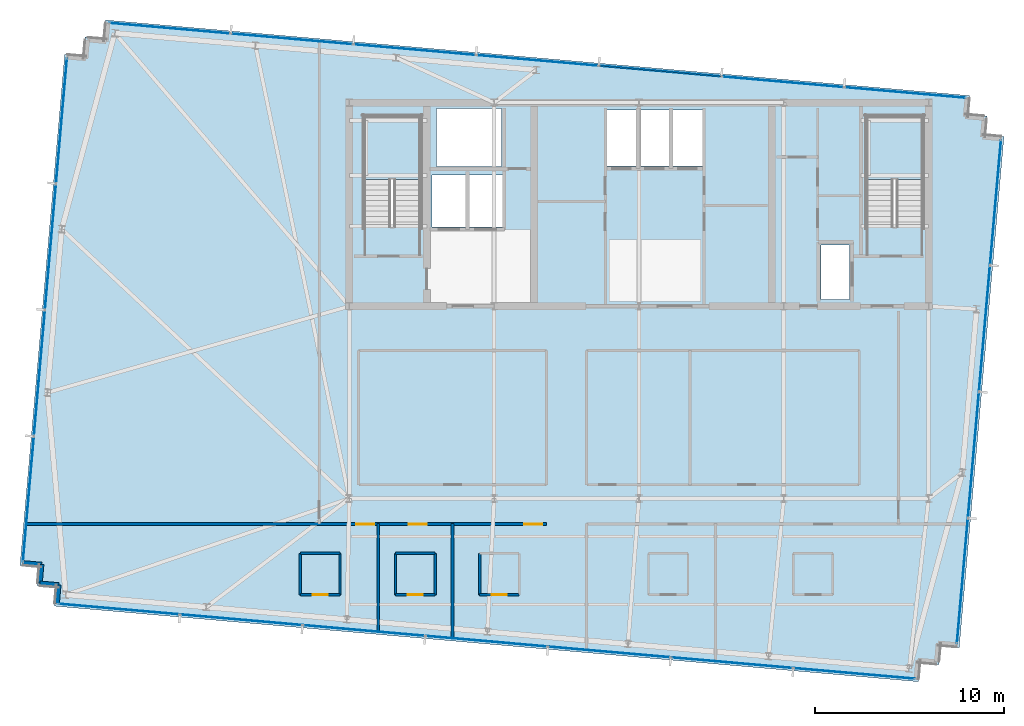
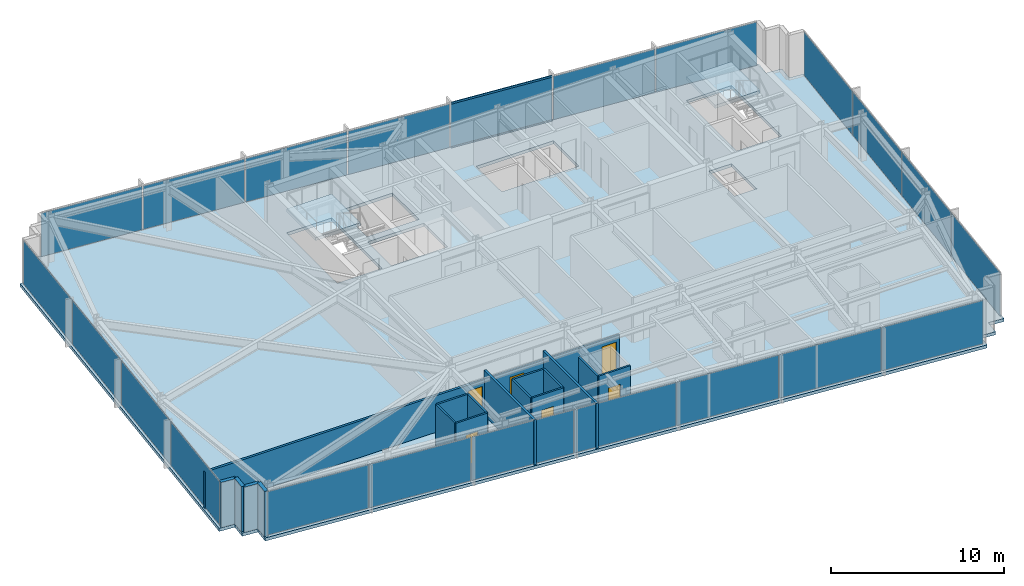
# One storey, part 26 of 33: 22 plates, 17 walls, 6 doors, 3 slabs, 2 members, 6 openings, 6 elements without a shape of their own.
"""IFC4 building model written with IfcOpenShell, lengths in metres."""

from ifc_helpers import new_model, si_unit, direction, frame, frame_2d, origin, origin_2d, place, context, subcontext, project, spatial, polyline, rectangle, hollow_rectangle, outline, extrude, material, layer, layer_set, material_profile, profile_set, type_object, element, fill, aggregate, save


model = new_model("IFC4")

# Units and contexts
model_context = context("Model", 3, precision=1e-05, world=origin(), true_north=direction((0.0, 1.0)))
body_context = subcontext(model_context, "Body", "Model", "MODEL_VIEW")
ifc_project = project(units=[si_unit("LENGTHUNIT", "METRE"), si_unit("AREAUNIT", "SQUARE_METRE"), si_unit("VOLUMEUNIT", "CUBIC_METRE"), si_unit("PLANEANGLEUNIT", "RADIAN"), si_unit("MASSUNIT", "GRAM", prefix="KILO")], contexts=[model_context])

# Site, building, storey
site_placement = place(None, origin())
site = spatial("IfcSite", under=ifc_project, at=site_placement, CompositionType="ELEMENT")
building_placement = place(site_placement, origin())
building = spatial("IfcBuilding", under=site, at=building_placement, Name="Yelkora Congress Tower", CompositionType="ELEMENT")
storey_placement = place(building_placement, frame((0.0, 0.0, 282.89990234375)))
storey = spatial("IfcBuildingStorey", under=building, at=storey_placement, Name="L79", CompositionType="ELEMENT", Elevation=282.89990234375)

# Curtain wall, members
ifc_material_1 = material(Name="Anodised aluminium and insulated glass", Category="aluminium")
curtain_wall_type = type_object("IfcCurtainWallType", Name="CW-SYS-B5", PredefinedType="NOTDEFINED", material=ifc_material_1)
curtain_wall_1_placement = place(storey_placement, origin())
curtain_wall_1 = element("IfcCurtainWall", 1, at=curtain_wall_1_placement, inside=storey, type_object=curtain_wall_type, Name="L79 Unitised Curtain Wall 10", PredefinedType="NOTDEFINED")
ifc_material_2 = material(Name="Anodised aluminium 6063-T6", Category="aluminium")
ifc_material_profile = material_profile(ifc_material_2, hollow_rectangle(XDim=0.06005859375, YDim=0.1298828125, WallThickness=0.00390625, at=origin_2d()), Name="ALU 60x130x4")
ifc_profile_set = profile_set([ifc_material_profile], Name="Anodised aluminium 6063-T6")
member_type = type_object("IfcMemberType", Name="MEM-TR-B5", PredefinedType="USERDEFINED", material=ifc_profile_set)
member_1_placement = place(storey_placement, frame((36.298583984375, 48.14794921875, 0.030029296875), z_axis=(0.996192979814, -0.08717538052, 0.0), x_axis=(0.08717538052, 0.996192979814, 0.0)))
member_1 = element("IfcMember", 2, at=member_1_placement, type_object=member_type, Name="CW-B5 transom 5.1", ObjectType="TRANSOM", PredefinedType="USERDEFINED", context=body_context, shape_type="SweptSolid", body=[
    extrude(hollow_rectangle(XDim=0.06005859375, YDim=0.1298828125, WallThickness=0.00390625, at=origin_2d()), origin(), (0.0, 0.0, 1.0), 6.466552734375),
])
member_2_placement = place(storey_placement, frame((36.298583984375, 48.14794921875, 3.150146484375), z_axis=(0.996192979814, -0.08717538052, 0.0), x_axis=(0.08717538052, 0.996192979814, 0.0)))
member_2 = element("IfcMember", 3, at=member_2_placement, type_object=member_type, Name="CW-B5 transom 5.2", ObjectType="TRANSOM", PredefinedType="USERDEFINED", context=body_context, shape_type="SweptSolid", body=[
    extrude(hollow_rectangle(XDim=0.06005859375, YDim=0.1298828125, WallThickness=0.00390625, at=origin_2d()), origin(), (0.0, 0.0, 1.0), 6.466552734375),
])

# Curtain wall, plates
curtain_wall_2_placement = place(storey_placement, origin())
curtain_wall_2 = element("IfcCurtainWall", 4, at=curtain_wall_2_placement, inside=storey, type_object=curtain_wall_type, Name="L79 Unitised Curtain Wall 5", PredefinedType="NOTDEFINED")
ifc_material_3 = material(Name="High-altitude triple glazed unit B5", Category="glass")
ifc_layer_1 = layer(ifc_material_3, 0.033935546875)
ifc_layer_set_1 = layer_set([ifc_layer_1], Name="High-altitude triple glazed unit B5")
plate_type = type_object("IfcPlateType", Name="PLT-PN-B5", PredefinedType="CURTAIN_PANEL", material=ifc_layer_set_1)
plate_1_placement = place(storey_placement, frame((6.021728515625, 25.16064453125, 0.06005859375), z_axis=(0.0, 0.0, 1.0), x_axis=(0.08715473876, 0.996194785929, 0.0)))
plate_1 = element("IfcPlate", 5, at=plate_1_placement, type_object=plate_type, Name="CW-B5 panel 1.1", PredefinedType="CURTAIN_PANEL", context=body_context, shape_type="SweptSolid", body=[
    extrude(rectangle(XDim=6.632568359375, YDim=0.033935546875, at=origin_2d()), origin(), (0.0, 0.0, 1.0), 3.06005859375),
])
plate_2_placement = place(storey_placement, frame((6.60693359375, 31.848876953125, 0.06005859375), z_axis=(0.0, 0.0, 1.0), x_axis=(0.08715473876, 0.996194785929, 0.0)))
plate_2 = element("IfcPlate", 6, at=plate_2_placement, type_object=plate_type, Name="CW-B5 panel 2.1", PredefinedType="CURTAIN_PANEL", context=body_context, shape_type="SweptSolid", body=[
    extrude(rectangle(XDim=6.6650390625, YDim=0.033935546875, at=origin_2d()), origin(), (0.0, 0.0, 1.0), 3.06005859375),
])
plate_3_placement = place(storey_placement, frame((7.193359375, 38.55322265625, 0.06005859375), z_axis=(0.0, 0.0, 1.0), x_axis=(0.08715473876, 0.996194785929, 0.0)))
plate_3 = element("IfcPlate", 7, at=plate_3_placement, type_object=plate_type, Name="CW-B5 panel 3.1", PredefinedType="CURTAIN_PANEL", context=body_context, shape_type="SweptSolid", body=[
    extrude(rectangle(XDim=6.6650390625, YDim=0.033935546875, at=origin_2d()), origin(), (0.0, 0.0, 1.0), 3.06005859375),
])
plate_4_placement = place(storey_placement, frame((7.778564453125, 45.2412109375, 0.06005859375), z_axis=(0.0, 0.0, 1.0), x_axis=(0.08715473876, 0.996194785929, 0.0)))
plate_4 = element("IfcPlate", 8, at=plate_4_placement, type_object=plate_type, Name="CW-B5 panel 4.1", PredefinedType="CURTAIN_PANEL", context=body_context, shape_type="SweptSolid", body=[
    extrude(rectangle(XDim=6.632568359375, YDim=0.033935546875, at=origin_2d()), origin(), (0.0, 0.0, 1.0), 3.06005859375),
])
aggregate(curtain_wall_2, [plate_1, plate_2, plate_3, plate_4])

# Plate
plate_5_placement = place(storey_placement, frame((13.509521484375, 50.141845703125, 0.06005859375), z_axis=(0.0, 0.0, 1.0), x_axis=(0.996194619601, -0.087156639893, 0.0)))
plate_5 = element("IfcPlate", 9, at=plate_5_placement, type_object=plate_type, Name="CW-B5 panel 1.1", PredefinedType="CURTAIN_PANEL", context=body_context, shape_type="SweptSolid", body=[
    extrude(rectangle(XDim=6.433837890625, YDim=0.033935546875, at=origin_2d()), origin(), (0.0, 0.0, 1.0), 3.06005859375),
])

plate_6_placement = place(storey_placement, frame((19.999755859375, 49.573974609375, 0.06005859375), z_axis=(0.0, 0.0, 1.0), x_axis=(0.996194619601, -0.087156639893, 0.0)))
plate_6 = element("IfcPlate", 10, at=plate_6_placement, type_object=plate_type, Name="CW-B5 panel 2.1", PredefinedType="CURTAIN_PANEL", context=body_context, shape_type="SweptSolid", body=[
    extrude(rectangle(XDim=6.46630859375, YDim=0.033935546875, at=origin_2d()), origin(), (0.0, 0.0, 1.0), 3.06005859375),
])

plate_7_placement = place(storey_placement, frame((26.50634765625, 49.004638671875, 0.06005859375), z_axis=(0.0, 0.0, 1.0), x_axis=(0.996194619601, -0.087156639893, 0.0)))
plate_7 = element("IfcPlate", 11, at=plate_7_placement, type_object=plate_type, Name="CW-B5 panel 3.1", PredefinedType="CURTAIN_PANEL", context=body_context, shape_type="SweptSolid", body=[
    extrude(rectangle(XDim=6.46630859375, YDim=0.033935546875, at=origin_2d()), origin(), (0.0, 0.0, 1.0), 3.06005859375),
])

plate_8_placement = place(storey_placement, frame((33.012939453125, 48.435302734375, 0.06005859375), z_axis=(0.0, 0.0, 1.0), x_axis=(0.996194619601, -0.087156639893, 0.0)))
plate_8 = element("IfcPlate", 12, at=plate_8_placement, type_object=plate_type, Name="CW-B5 panel 4.1", PredefinedType="CURTAIN_PANEL", context=body_context, shape_type="SweptSolid", body=[
    extrude(rectangle(XDim=6.46630859375, YDim=0.033935546875, at=origin_2d()), origin(), (0.0, 0.0, 1.0), 3.06005859375),
])

plate_9_placement = place(storey_placement, frame((39.51953125, 47.8662109375, 0.06005859375), z_axis=(0.0, 0.0, 1.0), x_axis=(0.996194619601, -0.087156639893, 0.0)))
plate_9 = element("IfcPlate", 13, at=plate_9_placement, type_object=plate_type, Name="CW-B5 panel 5.1", PredefinedType="CURTAIN_PANEL", context=body_context, shape_type="SweptSolid", body=[
    extrude(rectangle(XDim=6.46630859375, YDim=0.033935546875, at=origin_2d()), origin(), (0.0, 0.0, 1.0), 3.06005859375),
])

plate_10_placement = place(storey_placement, frame((46.026123046875, 47.296875, 0.06005859375), z_axis=(0.0, 0.0, 1.0), x_axis=(0.996194619601, -0.087156639893, 0.0)))
plate_10 = element("IfcPlate", 14, at=plate_10_placement, type_object=plate_type, Name="CW-B5 panel 6.1", PredefinedType="CURTAIN_PANEL", context=body_context, shape_type="SweptSolid", body=[
    extrude(rectangle(XDim=6.46630859375, YDim=0.033935546875, at=origin_2d()), origin(), (0.0, 0.0, 1.0), 3.06005859375),
])

plate_11_placement = place(storey_placement, frame((52.5166015625, 46.72900390625, 0.06005859375), z_axis=(0.0, 0.0, 1.0), x_axis=(0.996194619601, -0.087156639893, 0.0)))
plate_11 = element("IfcPlate", 15, at=plate_11_placement, type_object=plate_type, Name="CW-B5 panel 7.1", PredefinedType="CURTAIN_PANEL", context=body_context, shape_type="SweptSolid", body=[
    extrude(rectangle(XDim=6.433837890625, YDim=0.033935546875, at=origin_2d()), origin(), (0.0, 0.0, 1.0), 3.06005859375),
])

aggregate(curtain_wall_1, [plate_5, plate_6, plate_7, plate_8, member_1, member_2, plate_9, plate_10, plate_11])

# Curtain wall, plates
curtain_wall_3_placement = place(storey_placement, origin())
curtain_wall_3 = element("IfcCurtainWall", 16, at=curtain_wall_3_placement, inside=storey, type_object=curtain_wall_type, Name="L79 Unitised Curtain Wall 15", PredefinedType="NOTDEFINED")
plate_12_placement = place(storey_placement, frame((57.309326171875, 40.907958984375, 0.06005859375), z_axis=(0.0, 0.0, 1.0), x_axis=(-0.087158425264, -0.996194463398, 0.0)))
plate_12 = element("IfcPlate", 17, at=plate_12_placement, type_object=plate_type, Name="CW-B5 panel 1.1", PredefinedType="CURTAIN_PANEL", context=body_context, shape_type="SweptSolid", body=[
    extrude(rectangle(XDim=6.632568359375, YDim=0.033935546875, at=origin_2d()), origin(), (0.0, 0.0, 1.0), 3.06005859375),
])
plate_13_placement = place(storey_placement, frame((56.72412109375, 34.2197265625, 0.06005859375), z_axis=(0.0, 0.0, 1.0), x_axis=(-0.087158425264, -0.996194463398, 0.0)))
plate_13 = element("IfcPlate", 18, at=plate_13_placement, type_object=plate_type, Name="CW-B5 panel 2.1", PredefinedType="CURTAIN_PANEL", context=body_context, shape_type="SweptSolid", body=[
    extrude(rectangle(XDim=6.6650390625, YDim=0.033935546875, at=origin_2d()), origin(), (0.0, 0.0, 1.0), 3.06005859375),
])
plate_14_placement = place(storey_placement, frame((56.1376953125, 27.515380859375, 0.06005859375), z_axis=(0.0, 0.0, 1.0), x_axis=(-0.087158425264, -0.996194463398, 0.0)))
plate_14 = element("IfcPlate", 19, at=plate_14_placement, type_object=plate_type, Name="CW-B5 panel 3.1", PredefinedType="CURTAIN_PANEL", context=body_context, shape_type="SweptSolid", body=[
    extrude(rectangle(XDim=6.6650390625, YDim=0.033935546875, at=origin_2d()), origin(), (0.0, 0.0, 1.0), 3.06005859375),
])
plate_15_placement = place(storey_placement, frame((55.552490234375, 20.8271484375, 0.06005859375), z_axis=(0.0, 0.0, 1.0), x_axis=(-0.087158425264, -0.996194463398, 0.0)))
plate_15 = element("IfcPlate", 20, at=plate_15_placement, type_object=plate_type, Name="CW-B5 panel 4.1", PredefinedType="CURTAIN_PANEL", context=body_context, shape_type="SweptSolid", body=[
    extrude(rectangle(XDim=6.632568359375, YDim=0.033935546875, at=origin_2d()), origin(), (0.0, 0.0, 1.0), 3.06005859375),
])
aggregate(curtain_wall_3, [plate_12, plate_13, plate_14, plate_15])

curtain_wall_4_placement = place(storey_placement, origin())
curtain_wall_4 = element("IfcCurtainWall", 21, at=curtain_wall_4_placement, inside=storey, type_object=curtain_wall_type, Name="L79 Unitised Curtain Wall 20", PredefinedType="NOTDEFINED")
plate_16_placement = place(storey_placement, frame((49.821533203125, 15.9267578125, 0.06005859375), z_axis=(0.0, 0.0, 1.0), x_axis=(-0.996194602987, 0.087156829793, 0.0)))
plate_16 = element("IfcPlate", 22, at=plate_16_placement, type_object=plate_type, Name="CW-B5 panel 1.1", PredefinedType="CURTAIN_PANEL", context=body_context, shape_type="SweptSolid", body=[
    extrude(rectangle(XDim=6.433837890625, YDim=0.033935546875, at=origin_2d()), origin(), (0.0, 0.0, 1.0), 3.06005859375),
])
plate_17_placement = place(storey_placement, frame((43.331298828125, 16.49462890625, 0.06005859375), z_axis=(0.0, 0.0, 1.0), x_axis=(-0.996194602987, 0.087156829793, 0.0)))
plate_17 = element("IfcPlate", 23, at=plate_17_placement, type_object=plate_type, Name="CW-B5 panel 2.1", PredefinedType="CURTAIN_PANEL", context=body_context, shape_type="SweptSolid", body=[
    extrude(rectangle(XDim=6.46630859375, YDim=0.033935546875, at=origin_2d()), origin(), (0.0, 0.0, 1.0), 3.06005859375),
])
plate_18_placement = place(storey_placement, frame((36.82470703125, 17.06396484375, 0.06005859375), z_axis=(0.0, 0.0, 1.0), x_axis=(-0.996194602987, 0.087156829793, 0.0)))
plate_18 = element("IfcPlate", 24, at=plate_18_placement, type_object=plate_type, Name="CW-B5 panel 3.1", PredefinedType="CURTAIN_PANEL", context=body_context, shape_type="SweptSolid", body=[
    extrude(rectangle(XDim=6.46630859375, YDim=0.033935546875, at=origin_2d()), origin(), (0.0, 0.0, 1.0), 3.06005859375),
])
plate_19_placement = place(storey_placement, frame((30.318115234375, 17.633056640625, 0.06005859375), z_axis=(0.0, 0.0, 1.0), x_axis=(-0.996194602987, 0.087156829793, 0.0)))
plate_19 = element("IfcPlate", 25, at=plate_19_placement, type_object=plate_type, Name="CW-B5 panel 4.1", PredefinedType="CURTAIN_PANEL", context=body_context, shape_type="SweptSolid", body=[
    extrude(rectangle(XDim=6.46630859375, YDim=0.033935546875, at=origin_2d()), origin(), (0.0, 0.0, 1.0), 3.06005859375),
])
plate_20_placement = place(storey_placement, frame((23.8115234375, 18.202392578125, 0.06005859375), z_axis=(0.0, 0.0, 1.0), x_axis=(-0.996194602987, 0.087156829793, 0.0)))
plate_20 = element("IfcPlate", 26, at=plate_20_placement, type_object=plate_type, Name="CW-B5 panel 5.1", PredefinedType="CURTAIN_PANEL", context=body_context, shape_type="SweptSolid", body=[
    extrude(rectangle(XDim=6.46630859375, YDim=0.033935546875, at=origin_2d()), origin(), (0.0, 0.0, 1.0), 3.06005859375),
])
plate_21_placement = place(storey_placement, frame((17.304931640625, 18.771728515625, 0.06005859375), z_axis=(0.0, 0.0, 1.0), x_axis=(-0.996194602987, 0.087156829793, 0.0)))
plate_21 = element("IfcPlate", 27, at=plate_21_placement, type_object=plate_type, Name="CW-B5 panel 6.1", PredefinedType="CURTAIN_PANEL", context=body_context, shape_type="SweptSolid", body=[
    extrude(rectangle(XDim=6.46630859375, YDim=0.033935546875, at=origin_2d()), origin(), (0.0, 0.0, 1.0), 3.06005859375),
])
plate_22_placement = place(storey_placement, frame((10.814697265625, 19.33935546875, 0.06005859375), z_axis=(0.0, 0.0, 1.0), x_axis=(-0.996194602987, 0.087156829793, 0.0)))
plate_22 = element("IfcPlate", 28, at=plate_22_placement, type_object=plate_type, Name="CW-B5 panel 7.1", PredefinedType="CURTAIN_PANEL", context=body_context, shape_type="SweptSolid", body=[
    extrude(rectangle(XDim=6.433837890625, YDim=0.033935546875, at=origin_2d()), origin(), (0.0, 0.0, 1.0), 3.06005859375),
])
aggregate(curtain_wall_4, [plate_16, plate_17, plate_18, plate_19, plate_20, plate_21, plate_22])

# Stair, slab
ifc_material_4 = material(Name="Concrete C40/50", Category="concrete")
stair_type = type_object("IfcStairType", Name="STAIR-HT-1420-R20-170", PredefinedType="HALF_TURN_STAIR", material=ifc_material_4)
stair_1_placement = place(storey_placement, origin())
stair_1 = element("IfcStair", 29, at=stair_1_placement, inside=storey, type_object=stair_type, Name="West Core Protected Exit Stair ST-01 (L79)", PredefinedType="HALF_TURN_STAIR")
ifc_layer_2 = layer(ifc_material_4, 0.219970703125)
ifc_layer_set_2 = layer_set([ifc_layer_2], Name="Concrete C40/50")
slab_type_1 = type_object("IfcSlabType", Name="SLAB-LANDING-220", PredefinedType="LANDING", material=ifc_layer_set_2)
slab_1_placement = place(storey_placement, frame((0.0, 0.0, 1.47998046875)))
slab_1 = element("IfcSlab", 30, at=slab_1_placement, type_object=slab_type_1, Name="ST-01 L79 Half Landing 1", PredefinedType="LANDING", context=body_context, shape_type="SweptSolid", body=[
    extrude(outline(polyline([(26.820068359375, 42.1201171875), (26.820068359375, 45.469970703125), (23.820068359375, 45.469970703125), (23.820068359375, 42.1201171875), (26.820068359375, 42.1201171875)])), origin(), (0.0, 0.0, 1.0), 0.22021484375),
])
aggregate(stair_1, [slab_1])

stair_2_placement = place(storey_placement, origin())
stair_2 = element("IfcStair", 31, at=stair_2_placement, inside=storey, type_object=stair_type, Name="East Core Protected Exit Stair ST-02 (L79)", PredefinedType="HALF_TURN_STAIR")
slab_2_placement = place(storey_placement, frame((0.0, 0.0, 1.47998046875)))
slab_2 = element("IfcSlab", 32, at=slab_2_placement, type_object=slab_type_1, Name="ST-02 L79 Half Landing 1", PredefinedType="LANDING", context=body_context, shape_type="SweptSolid", body=[
    extrude(outline(polyline([(53.4599609375, 42.1201171875), (53.4599609375, 45.469970703125), (50.4599609375, 45.469970703125), (50.4599609375, 42.1201171875), (53.4599609375, 42.1201171875)])), origin(), (0.0, 0.0, 1.0), 0.22021484375),
])
aggregate(stair_2, [slab_2])

# Slab
ifc_layer_3 = layer(ifc_material_4, 0.219970703125)
ifc_layer_set_3 = layer_set([ifc_layer_3], Name="Concrete C40/50")
slab_type_2 = type_object("IfcSlabType", Name="SLAB-TWR-220", PredefinedType="FLOOR", material=ifc_layer_set_3)
slab_3_placement = place(storey_placement, frame((0.0, 0.0, -0.219970703125)))
element("IfcSlab", 33, at=slab_3_placement, inside=storey, type_object=slab_type_2, Name="L79 Structural Floor Slab", PredefinedType="FLOOR", context=body_context, shape_type="SweptSolid", body=[
    extrude(outline(polyline([(7.3935546875, 19.498291015625), (53.218505859375, 15.489013671875), (53.3056640625, 16.485107421875), (54.3017578125, 16.398193359375), (54.388916015625, 17.394287109375), (55.385009765625, 17.30712890625), (57.755859375, 44.403564453125), (56.759521484375, 44.49072265625), (56.8466796875, 45.487060546875), (55.8505859375, 45.57421875), (55.937744140625, 46.5703125), (10.11279296875, 50.57958984375), (10.025634765625, 49.583251953125), (9.029296875, 49.67041015625), (8.942138671875, 48.67431640625), (7.946044921875, 48.761474609375), (5.575439453125, 21.664794921875), (6.571533203125, 21.57763671875), (6.484619140625, 20.58154296875), (7.480712890625, 20.494384765625), (7.3935546875, 19.498291015625)]), holes=[polyline([(23.820068359375, 39.6298828125), (26.820068359375, 39.6298828125), (26.820068359375, 45.469970703125), (23.820068359375, 45.469970703125), (23.820068359375, 39.6298828125)]), polyline([(50.4599609375, 39.6298828125), (53.4599609375, 39.6298828125), (53.4599609375, 45.469970703125), (50.4599609375, 45.469970703125), (50.4599609375, 39.6298828125)]), polyline([(48.050048828125, 35.75), (49.550048828125, 35.75), (49.550048828125, 38.64990234375), (48.050048828125, 38.64990234375), (48.050048828125, 35.75)]), polyline([(36.64990234375, 42.85009765625), (41.800048828125, 42.85009765625), (41.800048828125, 45.800048828125), (36.64990234375, 45.800048828125), (36.64990234375, 42.85009765625)]), polyline([(27.419921875, 39.60009765625), (31.179931640625, 39.60009765625), (31.179931640625, 42.35009765625), (27.419921875, 42.35009765625), (27.419921875, 39.60009765625)]), polyline([(27.64990234375, 42.820068359375), (31.1201171875, 42.820068359375), (31.1201171875, 45.8798828125), (27.64990234375, 45.8798828125), (27.64990234375, 42.820068359375)])]), origin(), (0.0, 0.0, 1.0), 0.219970703125),
])

# Walls
ifc_layer_4 = layer(ifc_material_4, 0.239990234375)
ifc_layer_set_4 = layer_set([ifc_layer_4], Name="Concrete C40/50")
wall_type_1 = type_object("IfcWallType", Name="WALL-EXT-LIMESTONE-240", PredefinedType="SOLIDWALL", material=ifc_layer_set_4)
for number, where, z_axis, x_axis, name in (
    (34, (7.545166015625, 19.62548828125, 0.0), (0.0, 0.0, 1.0), (0.087166950281, 0.996193717496, 0.0), "L79 Serrated Corner Limestone Pier 1"),
    (35, (7.63232421875, 20.62158203125, 0.0), (0.0, 0.0, 1.0), (-0.996193717496, 0.087166950281, 0.0), "L79 Serrated Corner Limestone Pier 2"),
):
    element("IfcWall", number, at=place(storey_placement, frame(where, z_axis=z_axis, x_axis=x_axis)), inside=storey, type_object=wall_type_1, Name=name, PredefinedType="SOLIDWALL", context=body_context, shape_type="SweptSolid", body=[
        extrude(rectangle(XDim=1.0, YDim=0.239990234375, at=frame_2d((0.5, 0.0))), origin(), (0.0, 0.0, 1.0), 3.18017578125),
    ])
for number, where, z_axis, x_axis, name in (
    (36, (6.63623046875, 20.708740234375, 0.0), (0.0, 0.0, 1.0), (0.087145753297, 0.996195572005, 0.0), "L79 Serrated Corner Limestone Pier 3"),
    (37, (6.723388671875, 21.705078125, 0.0), (0.0, 0.0, 1.0), (-0.996195572005, 0.087145753297, 0.0), "L79 Serrated Corner Limestone Pier 4"),
):
    element("IfcWall", number, at=place(storey_placement, frame(where, z_axis=z_axis, x_axis=x_axis)), inside=storey, type_object=wall_type_1, Name=name, PredefinedType="SOLIDWALL", context=body_context, shape_type="SweptSolid", body=[
        extrude(rectangle(XDim=1.000244140625, YDim=0.239990234375, at=frame_2d((0.5, 0.0))), origin(), (0.0, 0.0, 1.0), 3.18017578125),
    ])
ifc_material_5 = material(Name="Moisture-resistant gypsum partition", Category="gypsum")
ifc_layer_5 = layer(ifc_material_5, 0.1201171875)
ifc_layer_set_5 = layer_set([ifc_layer_5], Name="Moisture-resistant gypsum partition")
wall_type_2 = type_object("IfcWallType", Name="WALL-INT-120-NR", PredefinedType="PARTITIONING", material=ifc_layer_set_5)
wall_1_placement = place(storey_placement, frame((20.43994140625, 22.300048828125, 0.0), z_axis=(0.0, 0.0, 1.0), x_axis=(1.0, 0.0, 0.0)))
element("IfcWall", 38, at=wall_1_placement, inside=storey, type_object=wall_type_2, Name="L79 Partition Wall 23", PredefinedType="PARTITIONING", context=body_context, shape_type="SweptSolid", body=[
    extrude(rectangle(XDim=2.10009765625, YDim=0.1201171875, at=frame_2d((1.050048828125, 0.0))), origin(), (0.0, 0.0, 1.0), 3.18017578125),
])
for number, where, z_axis, x_axis, name in (
    (39, (20.43994140625, 20.10009765625, 0.0), (0.0, 0.0, 1.0), (0.0, 1.0, 0.0), "L79 Partition Wall 24"),
    (40, (22.5400390625, 20.10009765625, 0.0), (0.0, 0.0, 1.0), (0.0, 1.0, 0.0), "L79 Partition Wall 25"),
):
    element("IfcWall", number, at=place(storey_placement, frame(where, z_axis=z_axis, x_axis=x_axis)), inside=storey, type_object=wall_type_2, Name=name, PredefinedType="PARTITIONING", context=body_context, shape_type="SweptSolid", body=[
        extrude(rectangle(XDim=2.199951171875, YDim=0.1201171875, at=frame_2d((1.10009765625, 0.0))), origin(), (0.0, 0.0, 1.0), 3.18017578125),
    ])

# Wall, opening, door
wall_2_placement = place(storey_placement, frame((20.43994140625, 20.10009765625, 0.0), z_axis=(0.0, 0.0, 1.0), x_axis=(1.0, 0.0, 0.0)))
wall_2 = element("IfcWall", 41, at=wall_2_placement, inside=storey, type_object=wall_type_2, Name="L79 Partition Wall 26", PredefinedType="PARTITIONING", context=body_context, shape_type="SweptSolid", body=[
    extrude(rectangle(XDim=2.10009765625, YDim=0.1201171875, at=frame_2d((1.050048828125, 0.0))), origin(), (0.0, 0.0, 1.0), 3.18017578125),
])
opening_1_placement = place(wall_2_placement, frame((0.64990234375, 0.0, 0.0)))
opening_1 = element("IfcOpeningElement", 42, at=opening_1_placement, cuts=wall_2, Name="Opening DR-080B", PredefinedType="OPENING", context=body_context, shape_type="SweptSolid", body=[
    extrude(rectangle(XDim=0.800048828125, YDim=2.10009765625, at=frame_2d((0.39990234375, 1.050048828125))), frame((0.0, 0.070068359375, 0.0), z_axis=(0.0, -1.0, 0.0), x_axis=(1.0, 0.0, 0.0)), (0.0, 0.0, 1.0), 0.14013671875),
])
ifc_material_6 = material(Name="Moisture-sealed en-suite timber door", Category="wood")
door_type_1 = type_object("IfcDoorType", Name="DOOR-BATH-800", OperationType="NOTDEFINED", PredefinedType="DOOR", material=ifc_material_6)
door_1_placement = place(opening_1_placement, origin())
door_1 = element("IfcDoor", 43, at=door_1_placement, inside=storey, type_object=door_type_1, Name="L79 En-suite Door 1", OperationType="SINGLE_SWING_RIGHT", OverallHeight=2.10009765625, OverallWidth=0.800048828125, PredefinedType="DOOR", context=body_context, shape_type="SweptSolid", body=[
    extrude(rectangle(XDim=0.800048828125, YDim=2.10009765625, at=frame_2d((0.39990234375, 1.050048828125))), frame((0.0, 0.02490234375, 0.0), z_axis=(0.0, -1.0, 0.0), x_axis=(1.0, 0.0, 0.0)), (0.0, 0.0, 1.0), 0.050048828125),
])
fill(opening_1, door_1)

# Walls
wall_3_placement = place(storey_placement, frame((25.492919921875, 22.300048828125, 0.0), z_axis=(0.0, 0.0, 1.0), x_axis=(1.0, 0.0, 0.0)))
element("IfcWall", 44, at=wall_3_placement, inside=storey, type_object=wall_type_2, Name="L79 Partition Wall 27", PredefinedType="PARTITIONING", context=body_context, shape_type="SweptSolid", body=[
    extrude(rectangle(XDim=2.10009765625, YDim=0.1201171875, at=frame_2d((1.050048828125, 0.0))), origin(), (0.0, 0.0, 1.0), 3.18017578125),
])
for number, where, z_axis, x_axis, name in (
    (45, (25.492919921875, 20.10009765625, 0.0), (0.0, 0.0, 1.0), (0.0, 1.0, 0.0), "L79 Partition Wall 28"),
    (46, (27.593017578125, 20.10009765625, 0.0), (0.0, 0.0, 1.0), (0.0, 1.0, 0.0), "L79 Partition Wall 29"),
):
    element("IfcWall", number, at=place(storey_placement, frame(where, z_axis=z_axis, x_axis=x_axis)), inside=storey, type_object=wall_type_2, Name=name, PredefinedType="PARTITIONING", context=body_context, shape_type="SweptSolid", body=[
        extrude(rectangle(XDim=2.199951171875, YDim=0.1201171875, at=frame_2d((1.10009765625, 0.0))), origin(), (0.0, 0.0, 1.0), 3.18017578125),
    ])

# Wall, opening, door
wall_4_placement = place(storey_placement, frame((25.492919921875, 20.10009765625, 0.0), z_axis=(0.0, 0.0, 1.0), x_axis=(1.0, 0.0, 0.0)))
wall_4 = element("IfcWall", 47, at=wall_4_placement, inside=storey, type_object=wall_type_2, Name="L79 Partition Wall 30", PredefinedType="PARTITIONING", context=body_context, shape_type="SweptSolid", body=[
    extrude(rectangle(XDim=2.10009765625, YDim=0.1201171875, at=frame_2d((1.050048828125, 0.0))), origin(), (0.0, 0.0, 1.0), 3.18017578125),
])
opening_2_placement = place(wall_4_placement, frame((0.64990234375, 0.0, 0.0)))
opening_2 = element("IfcOpeningElement", 48, at=opening_2_placement, cuts=wall_4, Name="Opening DR-080B", PredefinedType="OPENING", context=body_context, shape_type="SweptSolid", body=[
    extrude(rectangle(XDim=0.800048828125, YDim=2.10009765625, at=frame_2d((0.39990234375, 1.050048828125))), frame((0.0, 0.070068359375, 0.0), z_axis=(0.0, -1.0, 0.0), x_axis=(1.0, 0.0, 0.0)), (0.0, 0.0, 1.0), 0.14013671875),
])
door_2_placement = place(opening_2_placement, origin())
door_2 = element("IfcDoor", 49, at=door_2_placement, inside=storey, type_object=door_type_1, Name="L79 En-suite Door 2", OperationType="SINGLE_SWING_LEFT", OverallHeight=2.10009765625, OverallWidth=0.800048828125, PredefinedType="DOOR", context=body_context, shape_type="SweptSolid", body=[
    extrude(rectangle(XDim=0.800048828125, YDim=2.10009765625, at=frame_2d((0.39990234375, 1.050048828125))), frame((0.0, 0.02490234375, 0.0), z_axis=(0.0, -1.0, 0.0), x_axis=(1.0, 0.0, 0.0)), (0.0, 0.0, 1.0), 0.050048828125),
])
fill(opening_2, door_2)

# Wall
wall_5_placement = place(storey_placement, frame((29.949951171875, 20.10009765625, 0.0), z_axis=(0.0, 0.0, 1.0), x_axis=(0.0, 1.0, 0.0)))
element("IfcWall", 50, at=wall_5_placement, inside=storey, type_object=wall_type_2, Name="L79 Partition Wall 33", PredefinedType="PARTITIONING", context=body_context, shape_type="SweptSolid", body=[
    extrude(rectangle(XDim=2.199951171875, YDim=0.1201171875, at=frame_2d((1.10009765625, 0.0))), origin(), (0.0, 0.0, 1.0), 3.18017578125),
])

# Wall, opening, door
wall_6_placement = place(storey_placement, frame((29.949951171875, 20.10009765625, 0.0), z_axis=(0.0, 0.0, 1.0), x_axis=(1.0, 0.0, 0.0)))
wall_6 = element("IfcWall", 51, at=wall_6_placement, inside=storey, type_object=wall_type_2, Name="L79 Partition Wall 35", PredefinedType="PARTITIONING", context=body_context, shape_type="SweptSolid", body=[
    extrude(rectangle(XDim=2.10009765625, YDim=0.1201171875, at=frame_2d((1.050048828125, 0.0))), origin(), (0.0, 0.0, 1.0), 3.18017578125),
])
opening_3_placement = place(wall_6_placement, frame((0.64990234375, 0.0, 0.0)))
opening_3 = element("IfcOpeningElement", 52, at=opening_3_placement, cuts=wall_6, Name="Opening DR-080B", PredefinedType="OPENING", context=body_context, shape_type="SweptSolid", body=[
    extrude(rectangle(XDim=0.800048828125, YDim=2.10009765625, at=frame_2d((0.39990234375, 1.050048828125))), frame((0.0, 0.070068359375, 0.0), z_axis=(0.0, -1.0, 0.0), x_axis=(1.0, 0.0, 0.0)), (0.0, 0.0, 1.0), 0.14013671875),
])
door_3_placement = place(opening_3_placement, origin())
door_3 = element("IfcDoor", 53, at=door_3_placement, inside=storey, type_object=door_type_1, Name="L79 En-suite Door 3", OperationType="SINGLE_SWING_RIGHT", OverallHeight=2.10009765625, OverallWidth=0.800048828125, PredefinedType="DOOR", context=body_context, shape_type="SweptSolid", body=[
    extrude(rectangle(XDim=0.800048828125, YDim=2.10009765625, at=frame_2d((0.39990234375, 1.050048828125))), frame((0.0, 0.02490234375, 0.0), z_axis=(0.0, -1.0, 0.0), x_axis=(1.0, 0.0, 0.0)), (0.0, 0.0, 1.0), 0.050048828125),
])
fill(opening_3, door_3)

# Walls
ifc_material_7 = material(Name="Twin-stud fire-rated gypsum partition", Category="gypsum")
ifc_layer_6 = layer(ifc_material_7, 0.14990234375)
ifc_layer_set_6 = layer_set([ifc_layer_6], Name="Twin-stud fire-rated gypsum partition")
wall_type_3 = type_object("IfcWallType", Name="WALL-INT-150-R60", PredefinedType="PARTITIONING", material=ifc_layer_set_6)
wall_7_placement = place(storey_placement, frame((24.574951171875, 18.0751953125, 0.0), z_axis=(0.0, 0.0, 1.0), x_axis=(0.0, 1.0, 0.0)))
element("IfcWall", 54, at=wall_7_placement, inside=storey, type_object=wall_type_3, Name="L79 Partition Wall 31", PredefinedType="PARTITIONING", context=body_context, shape_type="SweptSolid", body=[
    extrude(rectangle(XDim=5.794921875, YDim=0.14990234375, at=frame_2d((2.8974609375, 0.0))), origin(), (0.0, 0.0, 1.0), 3.18017578125),
])
wall_8_placement = place(storey_placement, frame((28.510009765625, 17.73095703125, 0.0), z_axis=(0.0, 0.0, 1.0), x_axis=(0.0, 1.0, 0.0)))
element("IfcWall", 55, at=wall_8_placement, inside=storey, type_object=wall_type_3, Name="L79 Partition Wall 36", PredefinedType="PARTITIONING", context=body_context, shape_type="SweptSolid", body=[
    extrude(rectangle(XDim=6.13916015625, YDim=0.14990234375, at=frame_2d((3.069580078125, 0.0))), origin(), (0.0, 0.0, 1.0), 3.18017578125),
])

# Wall, openings, doors
wall_9_placement = place(storey_placement, frame((5.846923828125, 23.85009765625, 0.0), z_axis=(0.0, 0.0, 1.0), x_axis=(1.0, 0.0, 0.0)))
wall_9 = element("IfcWall", 56, at=wall_9_placement, inside=storey, type_object=wall_type_3, Name="L79 South Spine Wall West", PredefinedType="PARTITIONING", context=body_context, shape_type="SweptSolid", body=[
    extrude(rectangle(XDim=27.653076171875, YDim=0.14990234375, at=frame_2d((13.82666015625, 0.0))), origin(), (0.0, 0.0, 1.0), 2.5751953125),
])
opening_4_placement = place(wall_9_placement, frame((17.55810546875, 0.0, 0.0)))
opening_4 = element("IfcOpeningElement", 57, at=opening_4_placement, cuts=wall_9, Name="Opening DR-095F6", PredefinedType="OPENING", context=body_context, shape_type="SweptSolid", body=[
    extrude(rectangle(XDim=0.949951171875, YDim=2.14990234375, at=frame_2d((0.47509765625, 1.074951171875))), frame((0.0, 0.0849609375, 0.0), z_axis=(0.0, -1.0, 0.0), x_axis=(1.0, 0.0, 0.0)), (0.0, 0.0, 1.0), 0.169921875),
])
opening_5_placement = place(wall_9_placement, frame((20.335693359375, 0.0, 0.0)))
opening_5 = element("IfcOpeningElement", 58, at=opening_5_placement, cuts=wall_9, Name="Opening DR-095F6", PredefinedType="OPENING", context=body_context, shape_type="SweptSolid", body=[
    extrude(rectangle(XDim=0.949951171875, YDim=2.14990234375, at=frame_2d((0.47509765625, 1.074951171875))), frame((0.0, 0.0849609375, 0.0), z_axis=(0.0, -1.0, 0.0), x_axis=(1.0, 0.0, 0.0)), (0.0, 0.0, 1.0), 0.169921875),
])
opening_6_placement = place(wall_9_placement, frame((26.47314453125, 0.0, 0.0)))
opening_6 = element("IfcOpeningElement", 59, at=opening_6_placement, cuts=wall_9, Name="Opening DR-095F6", PredefinedType="OPENING", context=body_context, shape_type="SweptSolid", body=[
    extrude(rectangle(XDim=0.949951171875, YDim=2.14990234375, at=frame_2d((0.47509765625, 1.074951171875))), frame((0.0, 0.0849609375, 0.0), z_axis=(0.0, -1.0, 0.0), x_axis=(1.0, 0.0, 0.0)), (0.0, 0.0, 1.0), 0.169921875),
])
ifc_material_8 = material(Name="Acoustic oak-veneer fire door leaf", Category="wood")
door_type_2 = type_object("IfcDoorType", Name="DOOR-FD60-950", OperationType="NOTDEFINED", PredefinedType="DOOR", material=ifc_material_8)
door_4_placement = place(opening_4_placement, origin())
door_4 = element("IfcDoor", 60, at=door_4_placement, inside=storey, type_object=door_type_2, Name="L79 Diplomatic Suite 01 Entry Door", OperationType="SINGLE_SWING_LEFT", OverallHeight=2.14990234375, OverallWidth=0.949951171875, PredefinedType="DOOR", context=body_context, shape_type="SweptSolid", body=[
    extrude(rectangle(XDim=0.949951171875, YDim=2.14990234375, at=frame_2d((0.47509765625, 1.074951171875))), frame((0.0, 0.02490234375, 0.0), z_axis=(0.0, -1.0, 0.0), x_axis=(1.0, 0.0, 0.0)), (0.0, 0.0, 1.0), 0.050048828125),
])
fill(opening_4, door_4)
door_5_placement = place(opening_5_placement, origin())
door_5 = element("IfcDoor", 61, at=door_5_placement, inside=storey, type_object=door_type_2, Name="L79 Diplomatic Suite 02 Entry Door", OperationType="SINGLE_SWING_RIGHT", OverallHeight=2.14990234375, OverallWidth=0.949951171875, PredefinedType="DOOR", context=body_context, shape_type="SweptSolid", body=[
    extrude(rectangle(XDim=0.949951171875, YDim=2.14990234375, at=frame_2d((0.47509765625, 1.074951171875))), frame((0.0, 0.02490234375, 0.0), z_axis=(0.0, -1.0, 0.0), x_axis=(1.0, 0.0, 0.0)), (0.0, 0.0, 1.0), 0.050048828125),
])
fill(opening_5, door_5)
door_6_placement = place(opening_6_placement, origin())
door_6 = element("IfcDoor", 62, at=door_6_placement, inside=storey, type_object=door_type_2, Name="L79 Diplomatic Suite 03 Entry Door", OperationType="SINGLE_SWING_LEFT", OverallHeight=2.14990234375, OverallWidth=0.949951171875, PredefinedType="DOOR", context=body_context, shape_type="SweptSolid", body=[
    extrude(rectangle(XDim=0.949951171875, YDim=2.14990234375, at=frame_2d((0.47509765625, 1.074951171875))), frame((0.0, 0.02490234375, 0.0), z_axis=(0.0, -1.0, 0.0), x_axis=(1.0, 0.0, 0.0)), (0.0, 0.0, 1.0), 0.050048828125),
])
fill(opening_6, door_6)

save(model, "model.ifc")
